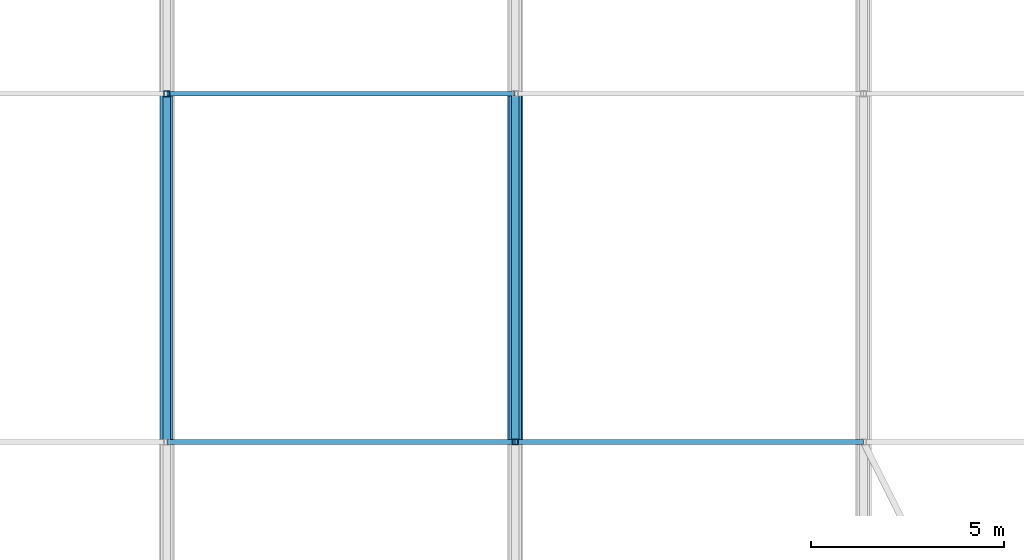
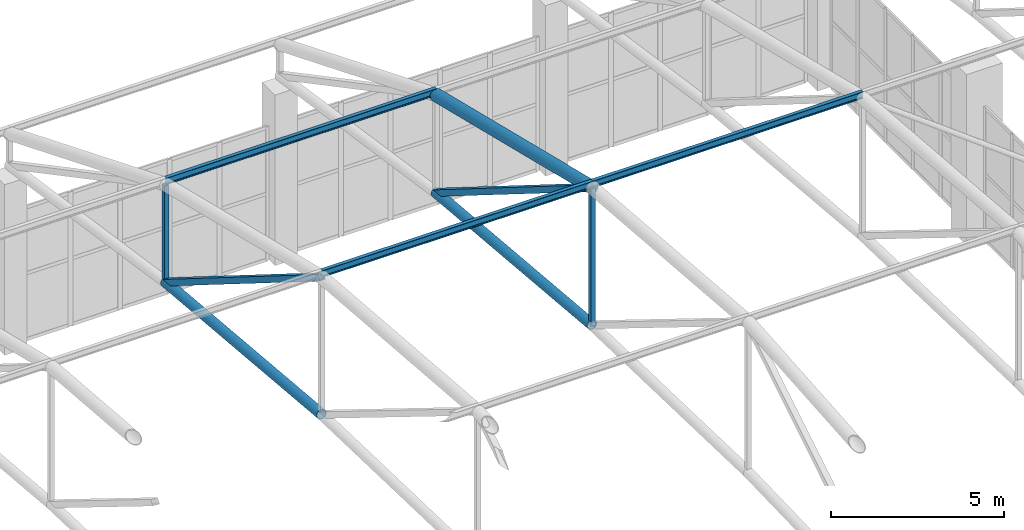
# One storey, part 139 of 223: 10 members.
"""IFC4 building model written with IfcOpenShell, lengths in metres."""

from ifc_helpers import new_model, si_unit, direction, frame, origin, origin_2d, place, context, subcontext, project, spatial, hollow_rectangle, hollow_circle, i_section, extrude, material, material_profile, profile_set, type_object, element, save


model = new_model("IFC4")

# Units and contexts
model_context = context("Model", 3, precision=1e-05, world=origin(), true_north=direction((0.0, 1.0)))
body_context = subcontext(model_context, "Body", "Model", "MODEL_VIEW")
ifc_project = project(units=[si_unit("LENGTHUNIT", "METRE"), si_unit("AREAUNIT", "SQUARE_METRE"), si_unit("VOLUMEUNIT", "CUBIC_METRE"), si_unit("PLANEANGLEUNIT", "RADIAN"), si_unit("MASSUNIT", "GRAM", prefix="KILO")], contexts=[model_context])

# Site, building, storey
site_placement = place(None, origin())
site = spatial("IfcSite", under=ifc_project, at=site_placement, CompositionType="ELEMENT")
building_placement = place(site_placement, origin())
building = spatial("IfcBuilding", under=site, at=building_placement, Name="Dornveld Trade and Exhibition Forum", CompositionType="ELEMENT")
storey_placement = place(building_placement, frame((0.0, 0.0, 6.0)))
storey = spatial("IfcBuildingStorey", under=building, at=storey_placement, Name="L01", CompositionType="ELEMENT", Elevation=6.0)

# Members
ifc_material_1 = material(Name="Steel S355J2", Category="steel")
ifc_material_profile_1 = material_profile(ifc_material_1, hollow_circle(Radius=0.161865234375, WallThickness=0.01611328125, at=origin_2d()), Name="CHS 323.9x16")
ifc_profile_set_1 = profile_set([ifc_material_profile_1], Name="Steel S355J2")
member_type_1 = type_object("IfcMemberType", Name="MEM-ARCH-BC", PredefinedType="CHORD", material=ifc_profile_set_1)
for number, where, z_axis, x_axis, name in (
    (1, (144.0, 144.0, 8.4833984375), (0.0, 0.996072164085, -0.088545151956), (-1.0, 0.0, 0.0), "H1 truss 6 tie chord 5"),
    (2, (153.0, 144.0, 8.4833984375), (0.0, 0.996072164085, -0.088545151956), (-1.0, 0.0, 0.0), "H1 truss 7 tie chord 5"),
):
    element("IfcMember", number, at=place(storey_placement, frame(where, z_axis=z_axis, x_axis=x_axis)), inside=storey, type_object=member_type_1, Name=name, PredefinedType="CHORD", context=body_context, shape_type="SweptSolid", body=[
        extrude(hollow_circle(Radius=0.161865234375, WallThickness=0.01611328125, at=origin_2d()), origin(), (0.0, 0.0, 1.0), 9.035400390625),
    ])
ifc_material_2 = material(Name="Steel S355J2", Category="steel")
ifc_material_profile_2 = material_profile(ifc_material_2, hollow_rectangle(XDim=0.14990234375, YDim=0.14990234375, WallThickness=0.008056640625, at=origin_2d()), Name="SHS 150x150x8")
ifc_profile_set_2 = profile_set([ifc_material_profile_2], Name="Steel S355J2")
member_type_2 = type_object("IfcMemberType", Name="MEM-ARCH-STR", PredefinedType="STRUT", material=ifc_profile_set_2)
member_1_placement = place(storey_placement, frame((144.0, 153.0, 7.683349609375), z_axis=(0.0, 0.0, 1.0), x_axis=(1.0, 0.0, 0.0)))
element("IfcMember", 3, at=member_1_placement, inside=storey, type_object=member_type_2, Name="H1 truss 6 strut 6", PredefinedType="STRUT", context=body_context, shape_type="SweptSolid", body=[
    extrude(hollow_rectangle(XDim=0.14990234375, YDim=0.14990234375, WallThickness=0.008056640625, at=origin_2d()), origin(), (0.0, 0.0, 1.0), 3.433349609375),
])
member_2_placement = place(storey_placement, frame((153.0, 144.0, 8.4833984375), z_axis=(0.0, 0.0, 1.0), x_axis=(1.0, 0.0, 0.0)))
element("IfcMember", 4, at=member_2_placement, inside=storey, type_object=member_type_2, Name="H1 truss 7 strut 5", PredefinedType="STRUT", context=body_context, shape_type="SweptSolid", body=[
    extrude(hollow_rectangle(XDim=0.14990234375, YDim=0.14990234375, WallThickness=0.008056640625, at=origin_2d()), origin(), (0.0, 0.0, 1.0), 4.833251953125),
])
ifc_material_3 = material(Name="Steel S355J2", Category="steel")
ifc_material_profile_3 = material_profile(ifc_material_3, hollow_circle(Radius=0.203125, WallThickness=0.02001953125, at=origin_2d()), Name="CHS 406.4x20")
ifc_profile_set_3 = profile_set([ifc_material_profile_3], Name="Steel S355J2")
member_type_3 = type_object("IfcMemberType", Name="MEM-ARCH-TC", PredefinedType="CHORD", material=ifc_profile_set_3)
member_3_placement = place(storey_placement, frame((153.0, 144.0, 13.316650390625), z_axis=(0.0, 0.971400222114, -0.237448117444), x_axis=(-1.0, 0.0, 0.0)))
element("IfcMember", 5, at=member_3_placement, inside=storey, type_object=member_type_3, Name="H1 truss 7 top chord 5", PredefinedType="CHORD", context=body_context, shape_type="SweptSolid", body=[
    extrude(hollow_circle(Radius=0.203125, WallThickness=0.02001953125, at=origin_2d()), origin(), (0.0, 0.0, 1.0), 9.264892578125),
])
ifc_material_4 = material(Name="Steel S355J2", Category="steel")
ifc_material_profile_4 = material_profile(ifc_material_4, hollow_rectangle(XDim=0.199951171875, YDim=0.199951171875, WallThickness=0.010009765625, at=origin_2d()), Name="SHS 200x200x10")
ifc_profile_set_4 = profile_set([ifc_material_profile_4], Name="Steel S355J2")
member_type_4 = type_object("IfcMemberType", Name="MEM-ARCH-WEB", PredefinedType="BRACE", material=ifc_profile_set_4)
for number, where, z_axis, x_axis, name in (
    (6, (144.0, 153.0, 7.683349609375), (0.0, -0.847646750348, 0.530561011218), (1.0, 0.0, 0.0), "H1 truss 6 web 5"),
    (7, (153.0, 153.0, 7.683349609375), (0.0, -0.847646750348, 0.530561011218), (1.0, 0.0, 0.0), "H1 truss 7 web 5"),
):
    element("IfcMember", number, at=place(storey_placement, frame(where, z_axis=z_axis, x_axis=x_axis)), inside=storey, type_object=member_type_4, Name=name, PredefinedType="BRACE", context=body_context, shape_type="SweptSolid", body=[
        extrude(hollow_rectangle(XDim=0.199951171875, YDim=0.199951171875, WallThickness=0.010009765625, at=origin_2d()), origin(), (0.0, 0.0, 1.0), 10.61767578125),
    ])
ifc_material_5 = material(Name="Steel S355J2", Category="steel")
ifc_material_profile_5 = material_profile(ifc_material_5, i_section(OverallWidth=0.1201171875, OverallDepth=0.239990234375, WebThickness=0.006103515625, FlangeThickness=0.009765625, FilletRadius=0.014892578125, at=origin_2d()), Name="IPE 240")
ifc_profile_set_5 = profile_set([ifc_material_profile_5], Name="Steel S355J2")
member_type_5 = type_object("IfcMemberType", Name="MEM-PURLIN-240", PredefinedType="PURLIN", material=ifc_profile_set_5)
for number, where, z_axis, x_axis, name in (
    (8, (144.0, 144.0, 13.44873046875), (1.0, 0.0, 0.0), (0.0, 1.0, 0.0), "H1 bay 6 roof purlin 5"),
    (9, (144.0, 153.0, 11.248779296875), (1.0, 0.0, 0.0), (0.0, 1.0, 0.0), "H1 bay 6 roof purlin 6"),
    (10, (153.0, 144.0, 13.44873046875), (1.0, 0.0, 0.0), (0.0, 1.0, 0.0), "H1 bay 7 roof purlin 5"),
):
    element("IfcMember", number, at=place(storey_placement, frame(where, z_axis=z_axis, x_axis=x_axis)), inside=storey, type_object=member_type_5, Name=name, PredefinedType="PURLIN", context=body_context, shape_type="SweptSolid", body=[
        extrude(i_section(OverallWidth=0.1201171875, OverallDepth=0.239990234375, WebThickness=0.006103515625, FlangeThickness=0.009765625, FilletRadius=0.014892578125, at=origin_2d()), origin(), (0.0, 0.0, 1.0), 9.0),
    ])

save(model, "model.ifc")
